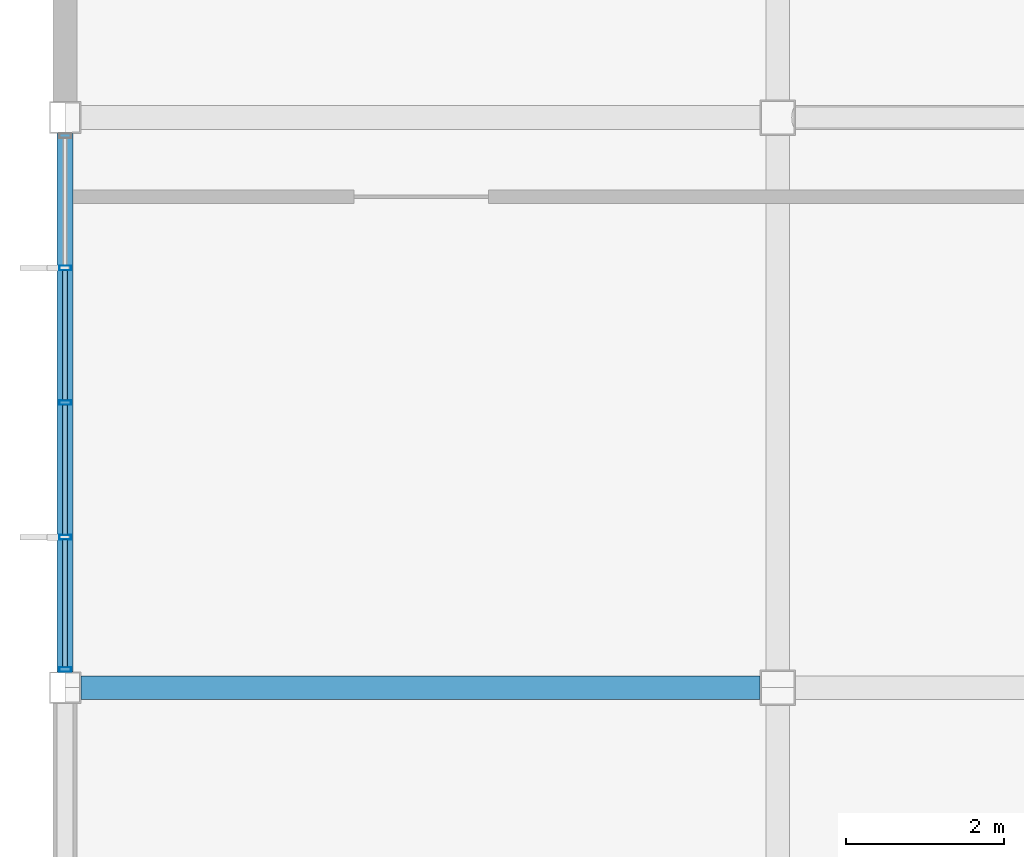
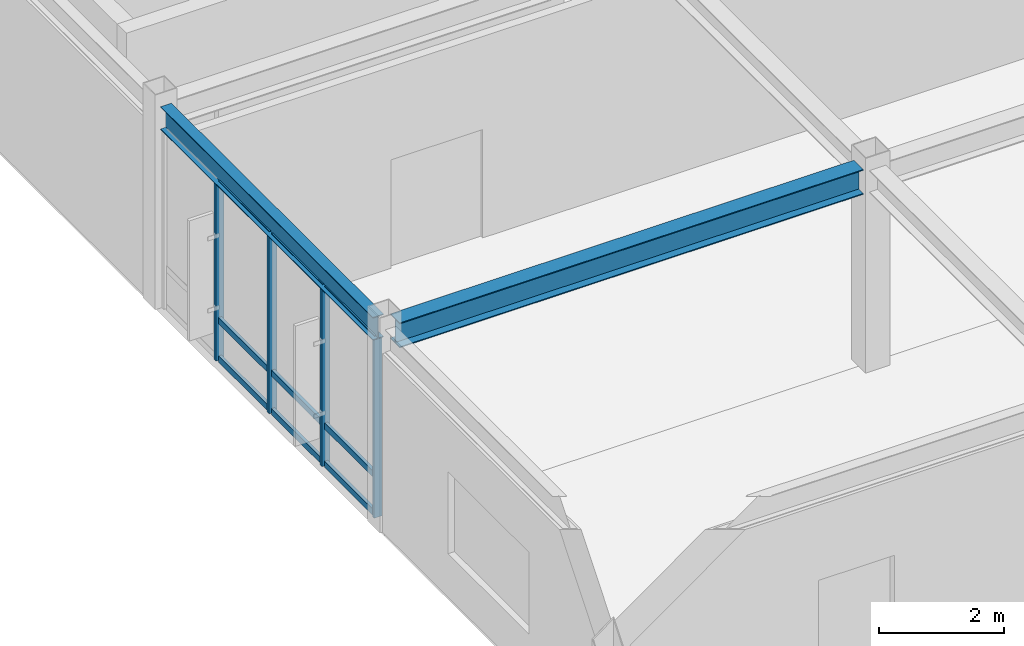
# One storey, part 13 of 106: 13 members, 2 beams, 1 element without a shape of its own.
"""IFC4 building model written with IfcOpenShell, lengths in metres."""

from ifc_helpers import new_model, si_unit, direction, frame, origin, origin_2d, place, context, subcontext, project, spatial, hollow_rectangle, i_section, extrude, material, material_profile, profile_set, type_object, element, aggregate, save


model = new_model("IFC4")

# Units and contexts
model_context = context("Model", 3, precision=1e-05, world=origin(), true_north=direction((0.0, 1.0)))
body_context = subcontext(model_context, "Body", "Model", "MODEL_VIEW")
ifc_project = project(units=[si_unit("LENGTHUNIT", "METRE"), si_unit("AREAUNIT", "SQUARE_METRE"), si_unit("VOLUMEUNIT", "CUBIC_METRE"), si_unit("PLANEANGLEUNIT", "RADIAN"), si_unit("MASSUNIT", "GRAM", prefix="KILO")], contexts=[model_context])

# Site, building, storey
site_placement = place(None, origin())
site = spatial("IfcSite", under=ifc_project, at=site_placement, CompositionType="ELEMENT")
building_placement = place(site_placement, origin())
building = spatial("IfcBuilding", under=site, at=building_placement, Name="Kazanami Central Library", CompositionType="ELEMENT")
storey_placement = place(building_placement, frame((0.0, 0.0, 12.800048828125)))
storey = spatial("IfcBuildingStorey", under=building, at=storey_placement, Name="L04", CompositionType="ELEMENT", Elevation=12.800048828125)

# Beams
ifc_material_1 = material(Name="Steel SN490B (325 MPa)", Category="steel")
ifc_material_profile_1 = material_profile(ifc_material_1, i_section(OverallWidth=0.300048828125, OverallDepth=0.488037109375, WebThickness=0.010986328125, FlangeThickness=0.01806640625, at=origin_2d()), Name="H-488x300x11x18")
ifc_profile_set_1 = profile_set([ifc_material_profile_1], Name="Steel SN490B (325 MPa)")
beam_type_1 = type_object("IfcBeamType", Name="BM-G-X5", PredefinedType="BEAM", material=ifc_profile_set_1)
beam_1_placement = place(storey_placement, frame((0.197998046875, 72.0, 3.696044921875), z_axis=(1.0, 0.0, 0.0), x_axis=(0.0, 1.0, 0.0)))
element("IfcBeam", 1, at=beam_1_placement, inside=storey, type_object=beam_type_1, Name="Girder G-X5 L04 L/1-2", PredefinedType="BEAM", context=body_context, shape_type="SweptSolid", body=[
    extrude(i_section(OverallWidth=0.300048828125, OverallDepth=0.488037109375, WebThickness=0.010986328125, FlangeThickness=0.01806640625, at=origin_2d()), origin(), (0.0, 0.0, 1.0), 8.5791015625),
])
ifc_material_profile_2 = material_profile(ifc_material_1, i_section(OverallWidth=0.199951171875, OverallDepth=0.449951171875, WebThickness=0.009033203125, FlangeThickness=0.013916015625, at=origin_2d()), Name="H-450x200x9x14")
ifc_profile_set_2 = profile_set([ifc_material_profile_2], Name="Steel SN490B (325 MPa)")
beam_type_2 = type_object("IfcBeamType", Name="BM-SP-2", PredefinedType="SPANDREL", material=ifc_profile_set_2)
beam_2_placement = place(storey_placement, frame((0.0, 72.197998046875, 3.71484375), z_axis=(0.0, 1.0, 0.0), x_axis=(-1.0, 0.0, 0.0)))
element("IfcBeam", 2, at=beam_2_placement, inside=storey, type_object=beam_type_2, Name="Girder SP-2 L04 1/L-M", PredefinedType="SPANDREL", context=body_context, shape_type="SweptSolid", body=[
    extrude(i_section(OverallWidth=0.199951171875, OverallDepth=0.449951171875, WebThickness=0.009033203125, FlangeThickness=0.013916015625, at=origin_2d()), origin(), (0.0, 0.0, 1.0), 6.803955078125),
])

# Curtain wall, members
ifc_material_2 = material(Name="Acid-Etched Low-E Laminated Glass", Category="glass")
curtain_wall_type = type_object("IfcCurtainWallType", Name="CW-6800x3490-M180", PredefinedType="USERDEFINED", material=ifc_material_2)
curtain_wall_placement = place(storey_placement, origin())
curtain_wall = element("IfcCurtainWall", 3, at=curtain_wall_placement, inside=storey, type_object=curtain_wall_type, Name="Unitised Curtain Wall CW-43 L04 W-1-10", ObjectType="UNITISED CURTAIN WALL", PredefinedType="USERDEFINED")
ifc_material_3 = material(Name="Anodised Aluminium A6063-T5", Category="aluminium")
ifc_material_profile_3 = material_profile(ifc_material_3, hollow_rectangle(XDim=0.06005859375, YDim=0.14990234375, WallThickness=0.00390625, at=origin_2d()), Name="ALU-MULL-60x150x4")
ifc_profile_set_3 = profile_set([ifc_material_profile_3], Name="Anodised Aluminium A6063-T5")
member_type_1 = type_object("IfcMemberType", Name="MEM-CW-M3", PredefinedType="MULLION", material=ifc_profile_set_3)
member_1_placement = place(storey_placement, frame((0.0, 72.22998046875, 0.0), z_axis=(0.0, 0.0, 1.0), x_axis=(0.0, 1.0, 0.0)))
member_1 = element("IfcMember", 4, at=member_1_placement, type_object=member_type_1, Name="CW-43 mullion 1", PredefinedType="MULLION", context=body_context, shape_type="SweptSolid", body=[
    extrude(hollow_rectangle(XDim=0.06005859375, YDim=0.14990234375, WallThickness=0.00390625, at=origin_2d()), origin(), (0.0, 0.0, 1.0), 3.489990234375),
])
member_2_placement = place(storey_placement, frame((0.0, 73.89990234375, 0.0), z_axis=(0.0, 0.0, 1.0), x_axis=(0.0, 1.0, 0.0)))
member_2 = element("IfcMember", 5, at=member_2_placement, type_object=member_type_1, Name="CW-43 mullion 2", PredefinedType="MULLION", context=body_context, shape_type="SweptSolid", body=[
    extrude(hollow_rectangle(XDim=0.06005859375, YDim=0.14990234375, WallThickness=0.00390625, at=origin_2d()), origin(), (0.0, 0.0, 1.0), 3.489990234375),
])
member_3_placement = place(storey_placement, frame((0.0, 75.60009765625, 0.0), z_axis=(0.0, 0.0, 1.0), x_axis=(0.0, 1.0, 0.0)))
member_3 = element("IfcMember", 6, at=member_3_placement, type_object=member_type_1, Name="CW-43 mullion 3", PredefinedType="MULLION", context=body_context, shape_type="SweptSolid", body=[
    extrude(hollow_rectangle(XDim=0.06005859375, YDim=0.14990234375, WallThickness=0.00390625, at=origin_2d()), origin(), (0.0, 0.0, 1.0), 3.489990234375),
])
member_4_placement = place(storey_placement, frame((0.0, 77.300048828125, 0.0), z_axis=(0.0, 0.0, 1.0), x_axis=(0.0, 1.0, 0.0)))
member_4 = element("IfcMember", 7, at=member_4_placement, type_object=member_type_1, Name="CW-43 mullion 4", PredefinedType="MULLION", context=body_context, shape_type="SweptSolid", body=[
    extrude(hollow_rectangle(XDim=0.06005859375, YDim=0.14990234375, WallThickness=0.00390625, at=origin_2d()), origin(), (0.0, 0.0, 1.0), 3.489990234375),
])
ifc_material_profile_4 = material_profile(ifc_material_3, hollow_rectangle(XDim=0.06005859375, YDim=0.1201171875, WallThickness=0.00341796875, at=origin_2d()), Name="ALU-TRAN-60x120x3.5")
ifc_profile_set_4 = profile_set([ifc_material_profile_4], Name="Anodised Aluminium A6063-T5")
member_type_2 = type_object("IfcMemberType", Name="MEM-CW-T3", PredefinedType="USERDEFINED", material=ifc_profile_set_4)
member_5_placement = place(storey_placement, frame((0.0, 72.260009765625, 0.030029296875), z_axis=(0.0, 1.0, 0.0), x_axis=(-1.0, 0.0, 0.0)))
member_5 = element("IfcMember", 8, at=member_5_placement, type_object=member_type_2, Name="CW-43 transom 1.1", ObjectType="TRANSOM", PredefinedType="USERDEFINED", context=body_context, shape_type="SweptSolid", body=[
    extrude(hollow_rectangle(XDim=0.06005859375, YDim=0.1201171875, WallThickness=0.00341796875, at=origin_2d()), origin(), (0.0, 0.0, 1.0), 1.610107421875),
])
member_6_placement = place(storey_placement, frame((0.0, 72.260009765625, 0.780029296875), z_axis=(0.0, 1.0, 0.0), x_axis=(-1.0, 0.0, 0.0)))
member_6 = element("IfcMember", 9, at=member_6_placement, type_object=member_type_2, Name="CW-43 transom 1.2", ObjectType="TRANSOM", PredefinedType="USERDEFINED", context=body_context, shape_type="SweptSolid", body=[
    extrude(hollow_rectangle(XDim=0.06005859375, YDim=0.1201171875, WallThickness=0.00341796875, at=origin_2d()), origin(), (0.0, 0.0, 1.0), 1.610107421875),
])
member_7_placement = place(storey_placement, frame((0.0, 72.260009765625, 3.4599609375), z_axis=(0.0, 1.0, 0.0), x_axis=(-1.0, 0.0, 0.0)))
member_7 = element("IfcMember", 10, at=member_7_placement, type_object=member_type_2, Name="CW-43 transom 1.3", ObjectType="TRANSOM", PredefinedType="USERDEFINED", context=body_context, shape_type="SweptSolid", body=[
    extrude(hollow_rectangle(XDim=0.06005859375, YDim=0.1201171875, WallThickness=0.00341796875, at=origin_2d()), origin(), (0.0, 0.0, 1.0), 1.610107421875),
])
member_8_placement = place(storey_placement, frame((0.0, 73.929931640625, 0.030029296875), z_axis=(0.0, 1.0, 0.0), x_axis=(-1.0, 0.0, 0.0)))
member_8 = element("IfcMember", 11, at=member_8_placement, type_object=member_type_2, Name="CW-43 transom 2.1", ObjectType="TRANSOM", PredefinedType="USERDEFINED", context=body_context, shape_type="SweptSolid", body=[
    extrude(hollow_rectangle(XDim=0.06005859375, YDim=0.1201171875, WallThickness=0.00341796875, at=origin_2d()), origin(), (0.0, 0.0, 1.0), 1.64013671875),
])
member_9_placement = place(storey_placement, frame((0.0, 73.929931640625, 0.780029296875), z_axis=(0.0, 1.0, 0.0), x_axis=(-1.0, 0.0, 0.0)))
member_9 = element("IfcMember", 12, at=member_9_placement, type_object=member_type_2, Name="CW-43 transom 2.2", ObjectType="TRANSOM", PredefinedType="USERDEFINED", context=body_context, shape_type="SweptSolid", body=[
    extrude(hollow_rectangle(XDim=0.06005859375, YDim=0.1201171875, WallThickness=0.00341796875, at=origin_2d()), origin(), (0.0, 0.0, 1.0), 1.64013671875),
])
member_10_placement = place(storey_placement, frame((0.0, 73.929931640625, 3.4599609375), z_axis=(0.0, 1.0, 0.0), x_axis=(-1.0, 0.0, 0.0)))
member_10 = element("IfcMember", 13, at=member_10_placement, type_object=member_type_2, Name="CW-43 transom 2.3", ObjectType="TRANSOM", PredefinedType="USERDEFINED", context=body_context, shape_type="SweptSolid", body=[
    extrude(hollow_rectangle(XDim=0.06005859375, YDim=0.1201171875, WallThickness=0.00341796875, at=origin_2d()), origin(), (0.0, 0.0, 1.0), 1.64013671875),
])
member_11_placement = place(storey_placement, frame((0.0, 75.6298828125, 0.030029296875), z_axis=(0.0, 1.0, 0.0), x_axis=(-1.0, 0.0, 0.0)))
member_11 = element("IfcMember", 14, at=member_11_placement, type_object=member_type_2, Name="CW-43 transom 3.1", ObjectType="TRANSOM", PredefinedType="USERDEFINED", context=body_context, shape_type="SweptSolid", body=[
    extrude(hollow_rectangle(XDim=0.06005859375, YDim=0.1201171875, WallThickness=0.00341796875, at=origin_2d()), origin(), (0.0, 0.0, 1.0), 1.64013671875),
])
member_12_placement = place(storey_placement, frame((0.0, 75.6298828125, 0.780029296875), z_axis=(0.0, 1.0, 0.0), x_axis=(-1.0, 0.0, 0.0)))
member_12 = element("IfcMember", 15, at=member_12_placement, type_object=member_type_2, Name="CW-43 transom 3.2", ObjectType="TRANSOM", PredefinedType="USERDEFINED", context=body_context, shape_type="SweptSolid", body=[
    extrude(hollow_rectangle(XDim=0.06005859375, YDim=0.1201171875, WallThickness=0.00341796875, at=origin_2d()), origin(), (0.0, 0.0, 1.0), 1.64013671875),
])
member_13_placement = place(storey_placement, frame((0.0, 75.6298828125, 3.4599609375), z_axis=(0.0, 1.0, 0.0), x_axis=(-1.0, 0.0, 0.0)))
member_13 = element("IfcMember", 16, at=member_13_placement, type_object=member_type_2, Name="CW-43 transom 3.3", ObjectType="TRANSOM", PredefinedType="USERDEFINED", context=body_context, shape_type="SweptSolid", body=[
    extrude(hollow_rectangle(XDim=0.06005859375, YDim=0.1201171875, WallThickness=0.00341796875, at=origin_2d()), origin(), (0.0, 0.0, 1.0), 1.64013671875),
])
aggregate(curtain_wall, [member_1, member_2, member_3, member_4, member_5, member_6, member_7, member_8, member_9, member_10, member_11, member_12, member_13])

save(model, "model.ifc")
